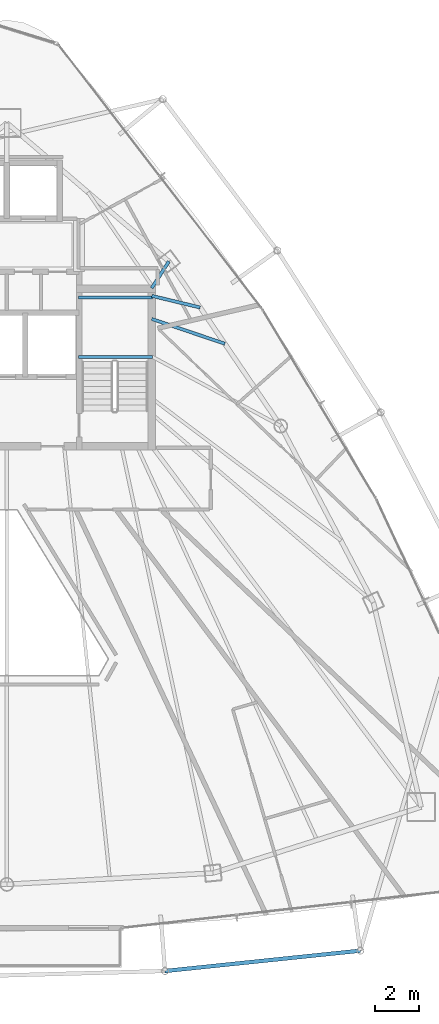
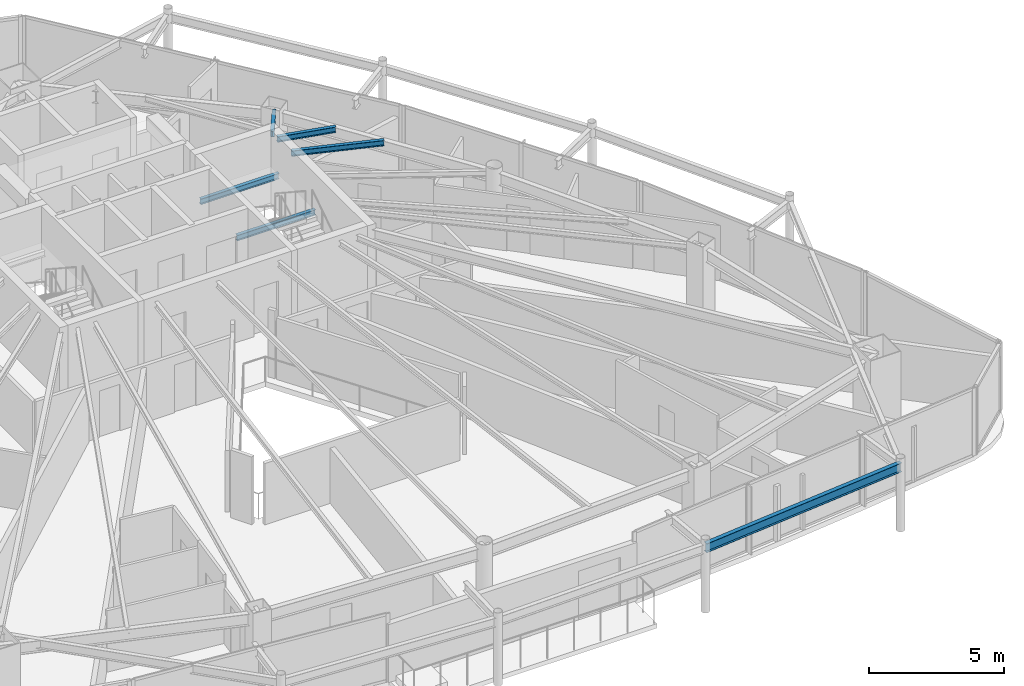
# One storey, part 13 of 32: 6 beams.
"""IFC4 building model written with IfcOpenShell, lengths in metres."""

from ifc_helpers import new_model, si_unit, direction, frame, origin, origin_2d, place, context, subcontext, project, spatial, i_section, extrude, material, material_profile, profile_set, type_object, element, save


model = new_model("IFC4")

# Units and contexts
model_context = context("Model", 3, precision=1e-05, world=origin(), true_north=direction((0.0, 1.0)))
body_context = subcontext(model_context, "Body", "Model", "MODEL_VIEW")
ifc_project = project(units=[si_unit("LENGTHUNIT", "METRE"), si_unit("AREAUNIT", "SQUARE_METRE"), si_unit("VOLUMEUNIT", "CUBIC_METRE"), si_unit("PLANEANGLEUNIT", "RADIAN"), si_unit("MASSUNIT", "GRAM", prefix="KILO")], contexts=[model_context])

# Site, building, storey
site_placement = place(None, origin())
site = spatial("IfcSite", under=ifc_project, at=site_placement, CompositionType="ELEMENT")
building_placement = place(site_placement, origin())
building = spatial("IfcBuilding", under=site, at=building_placement, Name="Orvanel Arch Residences", CompositionType="ELEMENT")
storey_placement = place(building_placement, frame((0.0, 0.0, 219.5)))
storey = spatial("IfcBuildingStorey", under=building, at=storey_placement, Name="L62", CompositionType="ELEMENT", Elevation=219.5)

# Beams
ifc_material = material(Name="Structural steel AS/NZS 3679.1 Grade 300 (300 MPa)", Category="steel")
ifc_material_profile_1 = material_profile(ifc_material, i_section(OverallWidth=0.14599609375, OverallDepth=0.251953125, WebThickness=0.006103515625, FlangeThickness=0.008544921875, at=origin_2d()), Name="250UB31.4")
ifc_profile_set_1 = profile_set([ifc_material_profile_1], Name="Structural steel AS/NZS 3679.1 Grade 300 (300 MPa)")
beam_type_1 = type_object("IfcBeamType", Name="BJ-250UB", PredefinedType="JOIST", material=ifc_profile_set_1)
for number, where, z_axis, x_axis, name in (
    (1, (36.25, 30.780029296875, 1.323974609375), (1.0, 0.0, 0.0), (0.0, 1.0, 0.0), "L62 ST-2 Half-Landing Support Beam 1.1"),
    (2, (36.25, 33.47998046875, 1.323974609375), (1.0, 0.0, 0.0), (0.0, 1.0, 0.0), "L62 ST-2 Half-Landing Support Beam 1.2"),
):
    element("IfcBeam", number, at=place(storey_placement, frame(where, z_axis=z_axis, x_axis=x_axis)), inside=storey, type_object=beam_type_1, Name=name, PredefinedType="JOIST", context=body_context, shape_type="SweptSolid", body=[
        extrude(i_section(OverallWidth=0.14599609375, OverallDepth=0.251953125, WebThickness=0.006103515625, FlangeThickness=0.008544921875, at=origin_2d()), origin(), (0.0, 0.0, 1.0), 3.35009765625),
    ])
beam_1_placement = place(storey_placement, frame((39.574951171875, 33.89990234375, 2.93408203125), z_axis=(0.539395075146, 0.842052820735, 0.0), x_axis=(-0.842052820735, 0.539395075146, 0.0)))
element("IfcBeam", 3, at=beam_1_placement, inside=storey, type_object=beam_type_1, Name="L62 NNE Wing Floor Joist", PredefinedType="JOIST", context=body_context, shape_type="SweptSolid", body=[
    extrude(i_section(OverallWidth=0.14599609375, OverallDepth=0.251953125, WebThickness=0.006103515625, FlangeThickness=0.008544921875, at=origin_2d()), origin(), (0.0, 0.0, 1.0), 1.440673828125),
])
beam_2_placement = place(storey_placement, frame((39.574951171875, 32.5, 2.93408203125), z_axis=(0.947159269453, -0.320763648641, 0.0), x_axis=(0.320763648641, 0.947159269453, 0.0)))
element("IfcBeam", 4, at=beam_2_placement, inside=storey, type_object=beam_type_1, Name="L62 ENE Wing Floor Joist", PredefinedType="JOIST", context=body_context, shape_type="SweptSolid", body=[
    extrude(i_section(OverallWidth=0.14599609375, OverallDepth=0.251953125, WebThickness=0.006103515625, FlangeThickness=0.008544921875, at=origin_2d()), origin(), (0.0, 0.0, 1.0), 3.501220703125),
])
beam_3_placement = place(storey_placement, frame((39.574951171875, 33.550048828125, 2.93408203125), z_axis=(0.972256833016, -0.23391590509, 0.0), x_axis=(0.23391590509, 0.972256833016, 0.0)))
element("IfcBeam", 5, at=beam_3_placement, inside=storey, type_object=beam_type_1, Name="L62 JADD4 Wing Floor Joist", PredefinedType="JOIST", context=body_context, shape_type="SweptSolid", body=[
    extrude(i_section(OverallWidth=0.14599609375, OverallDepth=0.251953125, WebThickness=0.006103515625, FlangeThickness=0.008544921875, at=origin_2d()), origin(), (0.0, 0.0, 1.0), 2.26171875),
])
ifc_material_profile_2 = material_profile(ifc_material, i_section(OverallWidth=0.177978515625, OverallDepth=0.406005859375, WebThickness=0.0078125, FlangeThickness=0.0126953125, at=origin_2d()), Name="410UB59.7")
ifc_profile_set_2 = profile_set([ifc_material_profile_2], Name="Structural steel AS/NZS 3679.1 Grade 300 (300 MPa)")
beam_type_2 = type_object("IfcBeamType", Name="OB-410UB-EXT", PredefinedType="SPANDREL", material=ifc_profile_set_2)
beam_4_placement = place(storey_placement, frame((40.178955078125, 2.909912109375, 2.85693359375), z_axis=(0.99462893471, 0.103504986538, 0.0), x_axis=(-0.103504986538, 0.99462893471, 0.0)))
element("IfcBeam", 6, at=beam_4_placement, inside=storey, type_object=beam_type_2, Name="L62 Outer Perimeter Floor Ring Beam 07", PredefinedType="SPANDREL", context=body_context, shape_type="SweptSolid", body=[
    extrude(i_section(OverallWidth=0.177978515625, OverallDepth=0.406005859375, WebThickness=0.0078125, FlangeThickness=0.0126953125, at=origin_2d()), origin(), (0.0, 0.0, 1.0), 8.908935546875),
])

save(model, "model.ifc")
